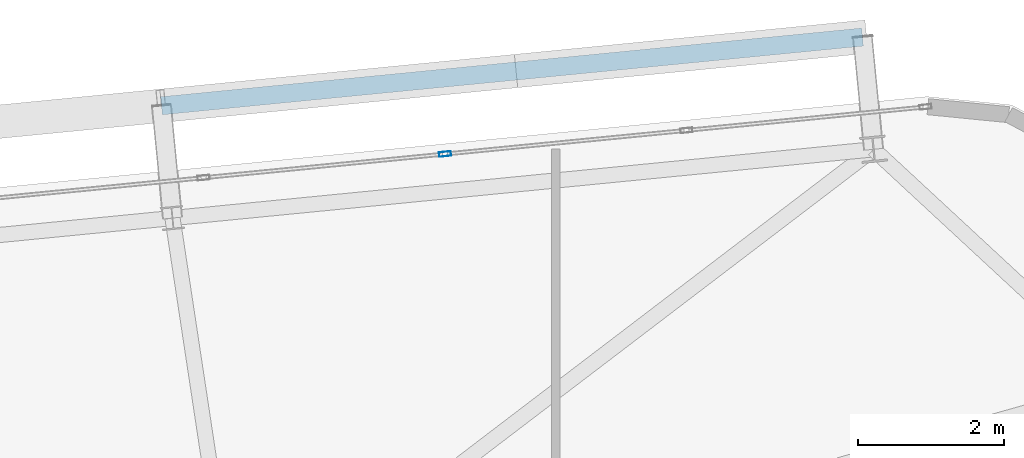
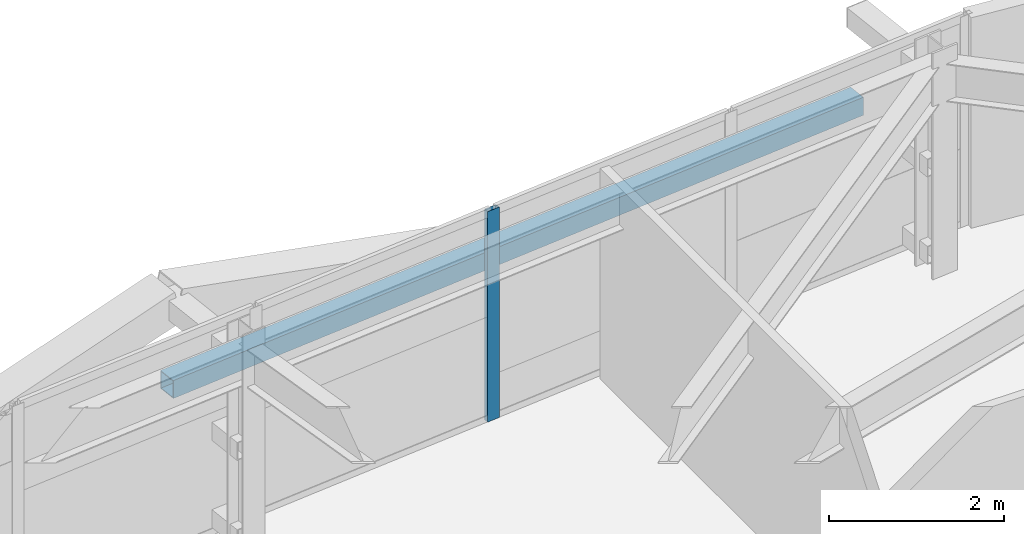
# One storey, part 33 of 53: 2 members, 1 element without a shape of its own.
"""IFC4 building model written with IfcOpenShell, lengths in metres."""

import ifcopenshell
import ifcopenshell.guid

model = None  # the IFC model being written
_history = None  # IfcOwnerHistory: only IFC2X3 demands one
_inside = {}  # id of a spatial element -> (the spatial element, [elements in it])
_under = {}  # id of a project, library or spatial element -> (it, [spatial elements below it])
_declared = {}  # id of a project -> (the project, [libraries it declares])
_typed = {}  # id of a type object -> (the type object, [elements of that type])
_made_of = {}  # id of a material, layer set ... -> (it, [elements and type objects made of it])


def new_model(schema):
    """Start an empty IFC model of exactly this schema.

    Asked for "IFC4X3", IfcOpenShell would pick the latest addendum, in which some entities
    have other attributes; the version numbers below select the first issue.
    IFC2X3 requires an IfcOwnerHistory on every rooted entity: one is made here for all.
    """
    global model, _history
    if schema == "IFC4X3":
        model = ifcopenshell.file(schema_version=(4, 3, 0, 0))
    else:
        model = ifcopenshell.file(schema=schema)
    _inside.clear()
    _under.clear()
    _declared.clear()
    _typed.clear()
    _made_of.clear()
    _history = None
    if model.schema == "IFC2X3":
        org = make("IfcOrganization", Name="unknown")
        user = make(
            "IfcPersonAndOrganization",
            ThePerson=make("IfcPerson", FamilyName="unknown"),
            TheOrganization=org,
        )
        app = make(
            "IfcApplication",
            ApplicationDeveloper=org,
            Version="unknown",
            ApplicationFullName="unknown",
            ApplicationIdentifier="unknown",
        )
        _history = make(
            "IfcOwnerHistory",
            OwningUser=user,
            OwningApplication=app,
            ChangeAction="ADDED",
            CreationDate=0,
        )
    return model


def make(cls, **values):
    """One entity of the class cls with the attributes given. An attribute that is None is left unset."""
    return model.create_entity(
        cls, **{name: value for name, value in values.items() if value is not None}
    )


def rooted(cls, **values):
    """An entity with a GlobalId (a new one), such as an element, a storey or a relation."""
    return make(cls, GlobalId=ifcopenshell.guid.new(), OwnerHistory=_history, **values)


def si_unit(unit_type, name, prefix=None):
    """IfcSIUnit, for example si_unit("LENGTHUNIT", "METRE", prefix="MILLI")."""
    return make("IfcSIUnit", UnitType=unit_type, Prefix=prefix, Name=name)


def assignment(units):
    """IfcUnitAssignment: the units of a project."""
    return None if units is None else make("IfcUnitAssignment", Units=units)


def point(xyz):
    """IfcCartesianPoint."""
    return None if xyz is None else make("IfcCartesianPoint", Coordinates=xyz)


def direction(xyz):
    """IfcDirection."""
    return None if xyz is None else make("IfcDirection", DirectionRatios=xyz)


def frame(location, z_axis=None, x_axis=None):
    """IfcAxis2Placement3D, a coordinate frame: its origin and axes. An axis left out is left unset."""
    return make(
        "IfcAxis2Placement3D",
        Location=point(location),
        Axis=direction(z_axis),
        RefDirection=direction(x_axis),
    )


def frame_2d(location, x_axis=None):
    """IfcAxis2Placement2D, a coordinate frame in the plane: its origin and x axis."""
    return make(
        "IfcAxis2Placement2D", Location=point(location), RefDirection=direction(x_axis)
    )


def origin():
    """The frame at (0, 0, 0) with its axes left unset."""
    return frame((0.0, 0.0, 0.0))


def origin_2d():
    """The frame at (0, 0) in the plane with its x axis left unset."""
    return frame_2d((0.0, 0.0))


def place(relative_to, where):
    """IfcLocalPlacement: puts the frame where relative to a parent placement (None: the world)."""
    return make(
        "IfcLocalPlacement", PlacementRelTo=relative_to, RelativePlacement=where
    )


def context(
    kind, dimensions, precision=None, world=None, true_north=None, identifier=None
):
    """IfcGeometricRepresentationContext, for example the 3D "Model" context."""
    return make(
        "IfcGeometricRepresentationContext",
        ContextIdentifier=identifier,
        ContextType=kind,
        CoordinateSpaceDimension=dimensions,
        Precision=precision,
        WorldCoordinateSystem=world,
        TrueNorth=true_north,
    )


def subcontext(parent, identifier, kind, view, scale=None):
    """IfcGeometricRepresentationSubContext, for example "Body" below "Model"."""
    return make(
        "IfcGeometricRepresentationSubContext",
        ContextIdentifier=identifier,
        ContextType=kind,
        ParentContext=parent,
        TargetScale=scale,
        TargetView=view,
    )


def project(units=None, contexts=None):
    """IfcProject with its units and contexts."""
    return rooted(
        "IfcProject",
        Name="project",
        RepresentationContexts=contexts,
        UnitsInContext=assignment(units),
    )


def spatial(cls, under=None, at=None, **own):
    """A site, building, storey or space (cls), placed at a placement, below another one or the project."""
    s = rooted(cls, ObjectPlacement=at, **own)
    if under is not None:
        _under.setdefault(under.id(), (under, []))[1].append(s)
    return s


def profile(cls, at=None, kind="AREA", **sizes):
    """A parametric profile (cls). Its sizes go by their IFC names, for example OverallWidth=200.0."""
    return make(cls, ProfileType=kind, Position=at, **sizes)


def hollow_rectangle(**sizes):
    """IfcRectangleHollowProfileDef."""
    return profile("IfcRectangleHollowProfileDef", **sizes)


def extrude(swept, where, along, depth):
    """IfcExtrudedAreaSolid: the profile swept, set in the frame where, extruded along a direction by depth."""
    return make(
        "IfcExtrudedAreaSolid",
        SweptArea=swept,
        Position=where,
        ExtrudedDirection=direction(along),
        Depth=depth,
    )


def shape(context_of_items, identifier, shape_type, items):
    """IfcShapeRepresentation: the items that make up one representation, for example the "Body"."""
    return make(
        "IfcShapeRepresentation",
        ContextOfItems=context_of_items,
        RepresentationIdentifier=identifier,
        RepresentationType=shape_type,
        Items=items,
    )


def source(mapping_origin, context_of_items, identifier, shape_type, items):
    """IfcRepresentationMap: a shape defined once, which mapped items show again and again."""
    return make(
        "IfcRepresentationMap",
        MappingOrigin=mapping_origin,
        MappedRepresentation=shape(context_of_items, identifier, shape_type, items),
    )


def transform(
    local_origin,
    x_axis=None,
    y_axis=None,
    z_axis=None,
    scale=None,
    scale2=None,
    scale3=None,
    uniform=True,
):
    """IfcCartesianTransformationOperator3D, or its non-uniform kind. x_axis, y_axis, z_axis: its Axis1, 2, 3."""
    if uniform:
        return make(
            "IfcCartesianTransformationOperator3D",
            Axis1=direction(x_axis),
            Axis2=direction(y_axis),
            LocalOrigin=point(local_origin),
            Scale=scale,
            Axis3=direction(z_axis),
        )
    return make(
        "IfcCartesianTransformationOperator3DnonUniform",
        Axis1=direction(x_axis),
        Axis2=direction(y_axis),
        LocalOrigin=point(local_origin),
        Scale=scale,
        Axis3=direction(z_axis),
        Scale2=scale2,
        Scale3=scale3,
    )


def mapped(mapping_source, mapping_target):
    """IfcMappedItem: shows the shape of a source again, moved by a transform."""
    return make(
        "IfcMappedItem", MappingSource=mapping_source, MappingTarget=mapping_target
    )


def material(Name=None, Category=None):
    """IfcMaterial."""
    return make("IfcMaterial", Name=Name, Category=Category)


def layer(
    of_material, thickness, ventilated=None, Name=None, Category=None, Priority=None
):
    """IfcMaterialLayer: one layer of a wall or slab, of a material (None: an air gap)."""
    return make(
        "IfcMaterialLayer",
        Material=of_material,
        LayerThickness=thickness,
        IsVentilated=ventilated,
        Name=Name,
        Category=Category,
        Priority=Priority,
    )


def layer_set(layers, Name=None):
    """IfcMaterialLayerSet."""
    return make("IfcMaterialLayerSet", MaterialLayers=layers, LayerSetName=Name)


def material_profile(
    of_material, cross_section, Name=None, Category=None, Priority=None
):
    """IfcMaterialProfile: a cross section and its material."""
    return make(
        "IfcMaterialProfile",
        Name=Name,
        Material=of_material,
        Profile=cross_section,
        Priority=Priority,
        Category=Category,
    )


def profile_set(profiles, Name=None, composite=None):
    """IfcMaterialProfileSet."""
    return make(
        "IfcMaterialProfileSet",
        Name=Name,
        MaterialProfiles=profiles,
        CompositeProfile=composite,
    )


def made_of(thing, what):
    """Note that an element or type object is made of a material, layer set ...; save() writes the relation."""
    if what is not None:
        _made_of.setdefault(what.id(), (what, []))[1].append(thing)
    return thing


def type_object(cls, material=None, **own):
    """A type object (cls), such as IfcWallType, which elements share."""
    return made_of(rooted(cls, **own), material)


def element(
    cls,
    number,
    at=None,
    inside=None,
    cuts=None,
    type_object=None,
    material=None,
    context=None,
    identifier="Body",
    shape_type=None,
    held_by="IfcProductDefinitionShape",
    body=None,
    shapes=None,
    **own,
):
    """One element of the class cls, such as IfcWall. Its Tag is "e" and its number.

    at: its placement. inside: the storey or other place that contains it. cuts: it is an
    opening in that element (IfcRelVoidsElement). A single representation is given by context,
    identifier, shape_type and body (its items); several are given by shapes. held_by: the class
    of the entity that holds the representations. save() writes the other relations.
    """
    e = rooted(cls, Tag="e%d" % number, ObjectPlacement=at, **own)
    if body is not None:
        shapes = [shape(context, identifier, shape_type, body)]
    if shapes is not None:
        e.Representation = make(held_by, Representations=shapes)
    if inside is not None:
        _inside.setdefault(inside.id(), (inside, []))[1].append(e)
    if cuts is not None:
        rooted(
            "IfcRelVoidsElement", RelatingBuildingElement=cuts, RelatedOpeningElement=e
        )
    if type_object is not None:
        _typed.setdefault(type_object.id(), (type_object, []))[1].append(e)
    return made_of(e, material)


def aggregate(whole, parts):
    """IfcRelAggregates: a whole, such as a stair, and the parts it consists of."""
    return rooted("IfcRelAggregates", RelatingObject=whole, RelatedObjects=parts)


def save(model, path):
    """Write the relations noted so far, then the file.

    IfcRelAggregates (storeys below a building ...), IfcRelContainedInSpatialStructure (elements
    in a storey), IfcRelDefinesByType, IfcRelAssociatesMaterial and IfcRelDeclares: one each for
    every whole, place, type object, material and project.
    """
    for whole, parts in _under.values():
        aggregate(whole, parts)
    for where, things in _inside.values():
        rooted(
            "IfcRelContainedInSpatialStructure",
            RelatedElements=things,
            RelatingStructure=where,
        )
    for kind, things in _typed.values():
        rooted("IfcRelDefinesByType", RelatedObjects=things, RelatingType=kind)
    for what, things in _made_of.values():
        rooted("IfcRelAssociatesMaterial", RelatedObjects=things, RelatingMaterial=what)
    for by, libraries in _declared.values():
        rooted("IfcRelDeclares", RelatingContext=by, RelatedDefinitions=libraries)
    model.write(path)


model = new_model("IFC4")

# Units and contexts
model_context = context("Model", 3, precision=1e-05, world=origin(), true_north=direction((0.0, 1.0)))
body_context = subcontext(model_context, "Body", "Model", "MODEL_VIEW")
ifc_project = project(units=[si_unit("LENGTHUNIT", "METRE"), si_unit("AREAUNIT", "SQUARE_METRE"), si_unit("VOLUMEUNIT", "CUBIC_METRE"), si_unit("PLANEANGLEUNIT", "RADIAN"), si_unit("MASSUNIT", "GRAM", prefix="KILO")], contexts=[model_context])

# Site, building, storey
site_placement = place(None, origin())
site = spatial("IfcSite", under=ifc_project, at=site_placement, CompositionType="ELEMENT")
building_placement = place(site_placement, origin())
building = spatial("IfcBuilding", under=site, at=building_placement, Name="Taldren Reach Tower", CompositionType="ELEMENT")
storey_placement = place(building_placement, frame((0.0, 0.0, 71.39990234375)))
storey = spatial("IfcBuildingStorey", under=building, at=storey_placement, Name="L21", CompositionType="ELEMENT", Elevation=71.39990234375)

# Member
ifc_material_1 = material(Name="Steel Gr 350 (C350L0)", Category="steel")
ifc_material_profile_1 = material_profile(ifc_material_1, hollow_rectangle(XDim=0.25, YDim=0.25, WallThickness=0.010009765625, at=origin_2d()), Name="250x250x10.0SHS")
ifc_profile_set_1 = profile_set([ifc_material_profile_1], Name="Steel Gr 350 (C350L0)")
member_type_1 = type_object("IfcMemberType", Name="MB-POST250", PredefinedType="POST", material=ifc_profile_set_1)
shared_shape_1 = source(origin(), body_context, "Body", "SweptSolid", [
    extrude(hollow_rectangle(XDim=0.25, YDim=0.25, WallThickness=0.010009765625, at=origin_2d()), origin(), (0.0, 0.0, 1.0), 9.679931640625),
])
member_1_placement = place(storey_placement, frame((49.980712890625, 39.27783203125, 1.43505859375), z_axis=(0.995227612658, 0.097580730699, 0.0), x_axis=(-0.097580730699, 0.995227612658, 0.0)))
element("IfcMember", 1, at=member_1_placement, inside=storey, type_object=member_type_1, Name="Exoskeleton mid-height ring chord B2-N5 L21", PredefinedType="POST", context=body_context, shape_type="MappedRepresentation", body=[
    mapped(shared_shape_1, transform((0.0, 0.0, 0.0), scale=1.0)),
])

# Curtain wall, member
ifc_material_2 = material(Name="Aluminium and Low-E Glass Unitised System", Category="aluminium")
ifc_layer = layer(ifc_material_2, 0.159912109375)
ifc_layer_set = layer_set([ifc_layer], Name="Aluminium and Low-E Glass Unitised System")
curtain_wall_type = type_object("IfcCurtainWallType", Name="CW-SYS-3", PredefinedType="NOTDEFINED", material=ifc_layer_set)
curtain_wall_placement = place(storey_placement, origin())
curtain_wall = element("IfcCurtainWall", 2, at=curtain_wall_placement, inside=storey, type_object=curtain_wall_type, Name="Unitised curtain wall CW-L21-N", PredefinedType="NOTDEFINED")
ifc_material_3 = material(Name="Anodised Aluminium 6063-T6", Category="aluminium")
ifc_material_profile_2 = material_profile(ifc_material_3, hollow_rectangle(XDim=0.06494140625, YDim=0.1650390625, WallThickness=0.00390625, at=origin_2d()), Name="ALU-165x65x4RHS")
ifc_profile_set_2 = profile_set([ifc_material_profile_2], Name="Anodised Aluminium 6063-T6")
member_type_2 = type_object("IfcMemberType", Name="CW-MUL-165", PredefinedType="MULLION", material=ifc_profile_set_2)
shared_shape_2 = source(origin(), body_context, "Body", "SweptSolid", [
    extrude(hollow_rectangle(XDim=0.06494140625, YDim=0.1650390625, WallThickness=0.00390625, at=origin_2d()), origin(), (0.0, 0.0, 1.0), 2.93017578125),
])
member_2_placement = place(storey_placement, frame((53.87744140625, 38.614990234375, 0.0), z_axis=(0.0, 0.0, 1.0), x_axis=(0.097582999046, -0.995227390247, 0.0)))
member_2 = element("IfcMember", 3, at=member_2_placement, type_object=member_type_2, Name="CW-3 mullion 3", PredefinedType="MULLION", context=body_context, shape_type="MappedRepresentation", body=[
    mapped(shared_shape_2, transform((0.0, 0.0, 0.0), scale=1.0)),
])
aggregate(curtain_wall, [member_2])

save(model, "model.ifc")
